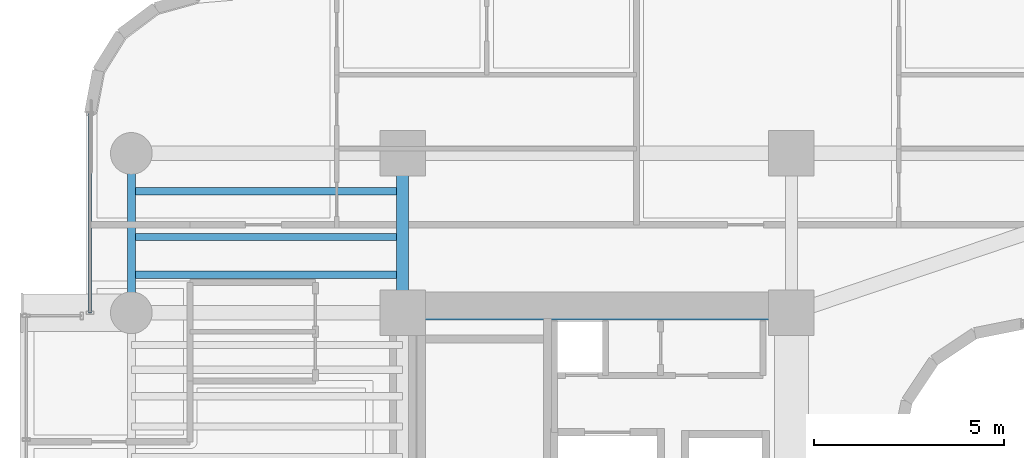
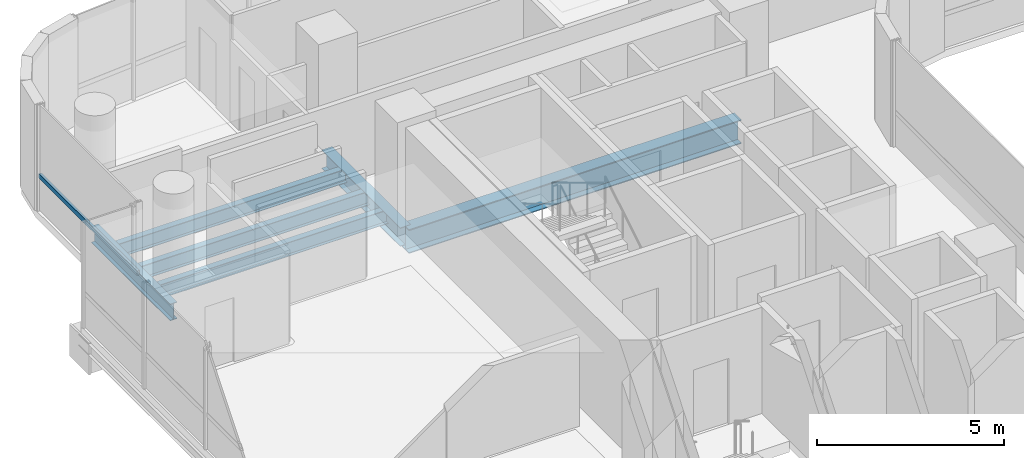
# One storey, part 8 of 35: 6 beams, 1 member, 1 element without a shape of its own.
"""IFC4 building model written with IfcOpenShell, lengths in metres."""

from ifc_helpers import new_model, si_unit, direction, frame, origin, origin_2d, place, context, subcontext, project, spatial, hollow_rectangle, i_section, extrude, source, transform, mapped, material, material_profile, profile_set, type_object, element, aggregate, save


model = new_model("IFC4")

# Units and contexts
model_context = context("Model", 3, precision=1e-05, world=origin(), true_north=direction((0.0, 1.0)))
body_context = subcontext(model_context, "Body", "Model", "MODEL_VIEW")
ifc_project = project(units=[si_unit("LENGTHUNIT", "METRE"), si_unit("AREAUNIT", "SQUARE_METRE"), si_unit("VOLUMEUNIT", "CUBIC_METRE"), si_unit("PLANEANGLEUNIT", "RADIAN"), si_unit("MASSUNIT", "GRAM", prefix="KILO")], contexts=[model_context])

# Site, building, storey
site_placement = place(None, origin())
site = spatial("IfcSite", under=ifc_project, at=site_placement, CompositionType="ELEMENT")
building_placement = place(site_placement, origin())
building = spatial("IfcBuilding", under=site, at=building_placement, Name="Valdorenza Pilgrim Sanctuary Tower", CompositionType="ELEMENT")
storey_placement = place(building_placement, frame((0.0, 0.0, 105.699951171875)))
storey = spatial("IfcBuildingStorey", under=building, at=storey_placement, Name="L26", CompositionType="ELEMENT", Elevation=105.699951171875)

# Beams
ifc_material_1 = material(Name="Steel ASTM A992 Grade 50", Category="steel")
ifc_material_profile_1 = material_profile(ifc_material_1, i_section(OverallWidth=0.214111328125, OverallDepth=0.549072265625, WebThickness=0.0146484375, FlangeThickness=0.023681640625, at=origin_2d()), Name="W21X93")
ifc_profile_set_1 = profile_set([ifc_material_profile_1], Name="Steel ASTM A992 Grade 50")
beam_type_1 = type_object("IfcBeamType", Name="STR-BM-SPN-W21A", PredefinedType="SPANDREL", material=ifc_profile_set_1)
shared_shape_1 = source(origin(), body_context, "Body", "SweptSolid", [
    extrude(i_section(OverallWidth=0.214111328125, OverallDepth=0.549072265625, WebThickness=0.0146484375, FlangeThickness=0.023681640625, at=origin_2d()), origin(), (0.0, 0.0, 1.0), 4.199951171875),
])
beam_1_placement = place(storey_placement, frame((-29.800048828125, 10.60009765625, -0.514404296875), z_axis=(0.0, 1.0, 0.0), x_axis=(-1.0, 0.0, 0.0)))
element("IfcBeam", 1, at=beam_1_placement, inside=storey, type_object=beam_type_1, Name="L26 Spandrel Beam WA-W-N1N2", PredefinedType="SPANDREL", context=body_context, shape_type="MappedRepresentation", body=[
    mapped(shared_shape_1, transform((0.0, 0.0, 0.0), x_axis=(1.0, 0.0, 0.0), y_axis=(0.0, 1.0, 0.0), z_axis=(0.0, 0.0, 1.0), scale=1.0)),
])
ifc_material_profile_2 = material_profile(ifc_material_1, i_section(OverallWidth=0.323974609375, OverallDepth=0.611083984375, WebThickness=0.0126953125, FlangeThickness=0.01904296875, at=origin_2d()), Name="W24X104")
ifc_profile_set_2 = profile_set([ifc_material_profile_2], Name="Steel ASTM A992 Grade 50")
beam_type_2 = type_object("IfcBeamType", Name="STR-BM-GRD-W24B", PredefinedType="BEAM", material=ifc_profile_set_2)
shared_shape_2 = source(origin(), body_context, "Body", "SweptSolid", [
    extrude(i_section(OverallWidth=0.323974609375, OverallDepth=0.611083984375, WebThickness=0.0126953125, FlangeThickness=0.01904296875, at=origin_2d()), origin(), (0.0, 0.0, 1.0), 4.199951171875),
])
beam_2_placement = place(storey_placement, frame((-22.64990234375, 10.60009765625, -0.54541015625), z_axis=(0.0, 1.0, 0.0), x_axis=(-1.0, 0.0, 0.0)))
element("IfcBeam", 2, at=beam_2_placement, inside=storey, type_object=beam_type_2, Name="L26 Core Tie Girder CA-W-N1N2", PredefinedType="BEAM", context=body_context, shape_type="MappedRepresentation", body=[
    mapped(shared_shape_2, transform((0.0, 0.0, 0.0), x_axis=(1.0, 0.0, 0.0), y_axis=(0.0, 1.0, 0.0), z_axis=(0.0, 0.0, 1.0), scale=1.0)),
])
ifc_material_profile_3 = material_profile(ifc_material_1, i_section(OverallWidth=0.382080078125, OverallDepth=0.779052734375, WebThickness=0.01806640625, FlangeThickness=0.030029296875, at=origin_2d()), Name="W30X191")
ifc_profile_set_3 = profile_set([ifc_material_profile_3], Name="Steel ASTM A992 Grade 50")
beam_type_3 = type_object("IfcBeamType", Name="STR-BM-GRD-W30", PredefinedType="BEAM", material=ifc_profile_set_3)
shared_shape_3 = source(origin(), body_context, "Body", "SweptSolid", [
    extrude(i_section(OverallWidth=0.382080078125, OverallDepth=0.779052734375, WebThickness=0.01806640625, FlangeThickness=0.030029296875, at=origin_2d()), origin(), (0.0, 0.0, 1.0), 10.25),
])
beam_3_placement = place(storey_placement, frame((-22.64990234375, 10.60009765625, -0.62939453125), z_axis=(1.0, 0.0, 0.0), x_axis=(0.0, 1.0, 0.0)))
element("IfcBeam", 3, at=beam_3_placement, inside=storey, type_object=beam_type_3, Name="L26 Floor Girder CA-XC-N1", PredefinedType="BEAM", context=body_context, shape_type="MappedRepresentation", body=[
    mapped(shared_shape_3, transform((0.0, 0.0, 0.0), x_axis=(1.0, 0.0, 0.0), y_axis=(0.0, 1.0, 0.0), z_axis=(0.0, 0.0, 1.0), scale=1.0)),
])
ifc_material_profile_4 = material_profile(ifc_material_1, i_section(OverallWidth=0.19091796875, OverallDepth=0.45703125, WebThickness=0.009033203125, FlangeThickness=0.014404296875, at=origin_2d()), Name="W18X50")
ifc_profile_set_4 = profile_set([ifc_material_profile_4], Name="Steel ASTM A992 Grade 50")
beam_type_4 = type_object("IfcBeamType", Name="STR-BM-JST-W18B", PredefinedType="JOIST", material=ifc_profile_set_4)
shared_shape_4 = source(origin(), body_context, "Body", "SweptSolid", [
    extrude(i_section(OverallWidth=0.19091796875, OverallDepth=0.45703125, WebThickness=0.009033203125, FlangeThickness=0.014404296875, at=origin_2d()), origin(), (0.0, 0.0, 1.0), 7.150146484375),
])
for number, where, z_axis, x_axis, name in (
    (4, (-29.800048828125, 11.60009765625, -0.468505859375), (1.0, 0.0, 0.0), (0.0, 1.0, 0.0), "L26 Composite Floor Joist JST-WA-24"),
    (5, (-29.800048828125, 12.60009765625, -0.468505859375), (1.0, 0.0, 0.0), (0.0, 1.0, 0.0), "L26 Composite Floor Joist JST-WA-25"),
    (6, (-29.800048828125, 13.800048828125, -0.468505859375), (1.0, 0.0, 0.0), (0.0, 1.0, 0.0), "L26 Composite Floor Joist JST-WA-26"),
):
    element("IfcBeam", number, at=place(storey_placement, frame(where, z_axis=z_axis, x_axis=x_axis)), inside=storey, type_object=beam_type_4, Name=name, PredefinedType="JOIST", context=body_context, shape_type="MappedRepresentation", body=[
        mapped(shared_shape_4, transform((0.0, 0.0, 0.0), x_axis=(1.0, 0.0, 0.0), y_axis=(0.0, 1.0, 0.0), z_axis=(0.0, 0.0, 1.0), scale=1.0)),
    ])

# Curtain wall, member
ifc_material_2 = material(Name="Curtain-wall IGU glazing", Category="glass")
curtain_wall_type = type_object("IfcCurtainWallType", Name="CW-SYS-02", PredefinedType="NOTDEFINED", material=ifc_material_2)
curtain_wall_placement = place(storey_placement, origin())
curtain_wall = element("IfcCurtainWall", 7, at=curtain_wall_placement, inside=storey, type_object=curtain_wall_type, Name="L26 Curtain Wall CW-L26-1-1S2", PredefinedType="NOTDEFINED")
ifc_material_3 = material(Name="Anodised aluminium AW-6060", Category="aluminium")
ifc_material_profile_5 = material_profile(ifc_material_3, hollow_rectangle(XDim=0.074951171875, YDim=0.14990234375, WallThickness=0.00390625, at=origin_2d()), Name="ALU-T 150x75x4")
ifc_profile_set_5 = profile_set([ifc_material_profile_5], Name="Anodised aluminium AW-6060")
member_type = type_object("IfcMemberType", Name="CW-TRN-02", PredefinedType="USERDEFINED", material=ifc_profile_set_5)
shared_shape_5 = source(origin(), body_context, "Body", "SweptSolid", [
    extrude(hollow_rectangle(XDim=0.074951171875, YDim=0.14990234375, WallThickness=0.00390625, at=origin_2d()), origin(), (0.0, 0.0, 1.0), 5.250244140625),
])
member_placement = place(storey_placement, frame((-30.889892578125, 10.60009765625, 1.1201171875), z_axis=(0.0, 1.0, 0.0), x_axis=(-1.0, 0.0, 0.0)))
member = element("IfcMember", 8, at=member_placement, type_object=member_type, Name="CW-L26-1-1S2 Transom 1", ObjectType="TRANSOM", PredefinedType="USERDEFINED", context=body_context, shape_type="MappedRepresentation", body=[
    mapped(shared_shape_5, transform((0.0, 0.0, 0.0), x_axis=(1.0, 0.0, 0.0), y_axis=(0.0, 1.0, 0.0), z_axis=(0.0, 0.0, 1.0), scale=1.0)),
])
aggregate(curtain_wall, [member])

save(model, "model.ifc")
